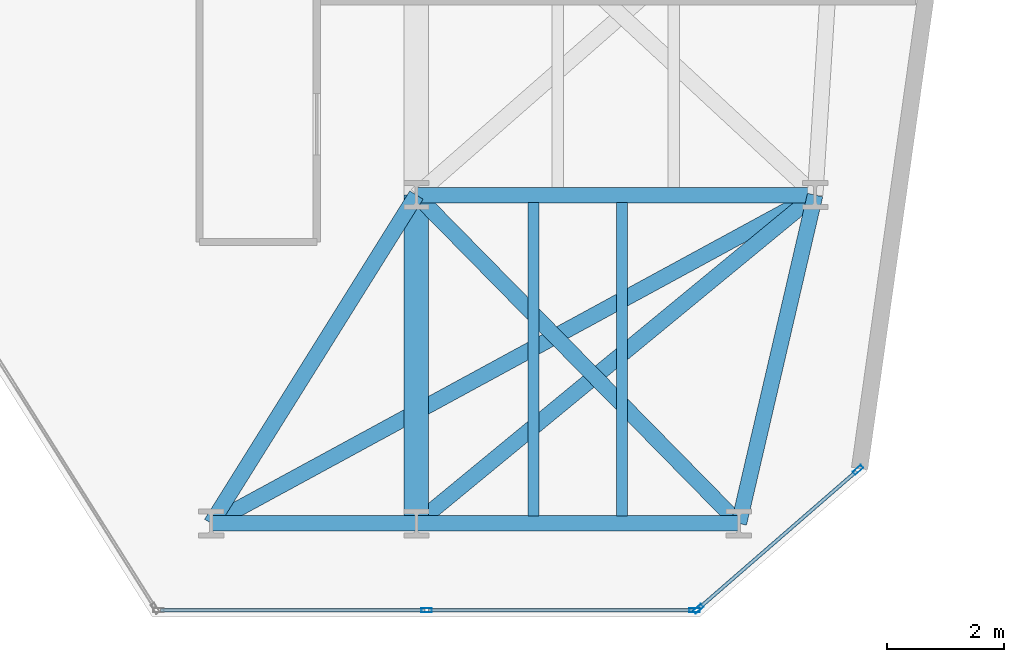
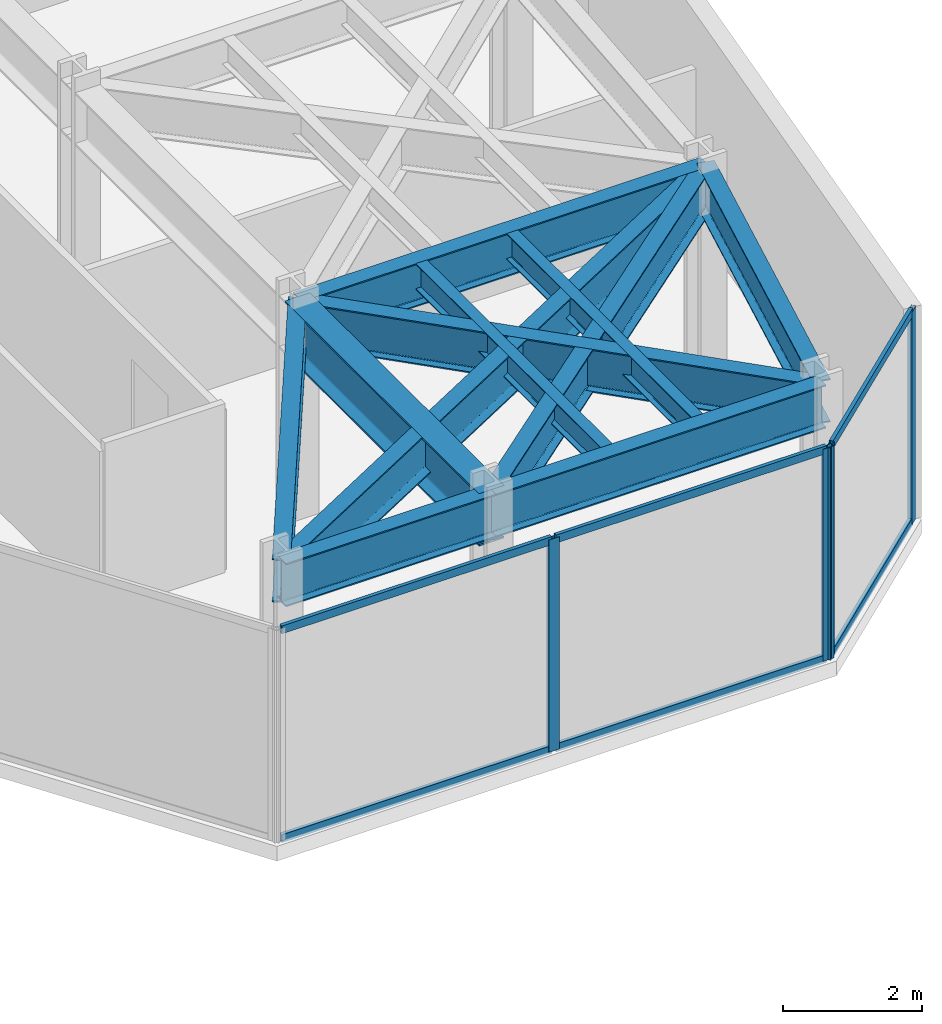
# One storey, part 13 of 24: 11 beams, 10 members, 2 elements without a shape of their own.
"""IFC4 building model written with IfcOpenShell, lengths in metres."""

import ifcopenshell
import ifcopenshell.guid

model = None  # the IFC model being written
_history = None  # IfcOwnerHistory: only IFC2X3 demands one
_inside = {}  # id of a spatial element -> (the spatial element, [elements in it])
_under = {}  # id of a project, library or spatial element -> (it, [spatial elements below it])
_declared = {}  # id of a project -> (the project, [libraries it declares])
_typed = {}  # id of a type object -> (the type object, [elements of that type])
_made_of = {}  # id of a material, layer set ... -> (it, [elements and type objects made of it])


def new_model(schema):
    """Start an empty IFC model of exactly this schema.

    Asked for "IFC4X3", IfcOpenShell would pick the latest addendum, in which some entities
    have other attributes; the version numbers below select the first issue.
    IFC2X3 requires an IfcOwnerHistory on every rooted entity: one is made here for all.
    """
    global model, _history
    if schema == "IFC4X3":
        model = ifcopenshell.file(schema_version=(4, 3, 0, 0))
    else:
        model = ifcopenshell.file(schema=schema)
    _inside.clear()
    _under.clear()
    _declared.clear()
    _typed.clear()
    _made_of.clear()
    _history = None
    if model.schema == "IFC2X3":
        org = make("IfcOrganization", Name="unknown")
        user = make(
            "IfcPersonAndOrganization",
            ThePerson=make("IfcPerson", FamilyName="unknown"),
            TheOrganization=org,
        )
        app = make(
            "IfcApplication",
            ApplicationDeveloper=org,
            Version="unknown",
            ApplicationFullName="unknown",
            ApplicationIdentifier="unknown",
        )
        _history = make(
            "IfcOwnerHistory",
            OwningUser=user,
            OwningApplication=app,
            ChangeAction="ADDED",
            CreationDate=0,
        )
    return model


def make(cls, **values):
    """One entity of the class cls with the attributes given. An attribute that is None is left unset."""
    return model.create_entity(
        cls, **{name: value for name, value in values.items() if value is not None}
    )


def rooted(cls, **values):
    """An entity with a GlobalId (a new one), such as an element, a storey or a relation."""
    return make(cls, GlobalId=ifcopenshell.guid.new(), OwnerHistory=_history, **values)


def si_unit(unit_type, name, prefix=None):
    """IfcSIUnit, for example si_unit("LENGTHUNIT", "METRE", prefix="MILLI")."""
    return make("IfcSIUnit", UnitType=unit_type, Prefix=prefix, Name=name)


def assignment(units):
    """IfcUnitAssignment: the units of a project."""
    return None if units is None else make("IfcUnitAssignment", Units=units)


def point(xyz):
    """IfcCartesianPoint."""
    return None if xyz is None else make("IfcCartesianPoint", Coordinates=xyz)


def direction(xyz):
    """IfcDirection."""
    return None if xyz is None else make("IfcDirection", DirectionRatios=xyz)


def frame(location, z_axis=None, x_axis=None):
    """IfcAxis2Placement3D, a coordinate frame: its origin and axes. An axis left out is left unset."""
    return make(
        "IfcAxis2Placement3D",
        Location=point(location),
        Axis=direction(z_axis),
        RefDirection=direction(x_axis),
    )


def frame_2d(location, x_axis=None):
    """IfcAxis2Placement2D, a coordinate frame in the plane: its origin and x axis."""
    return make(
        "IfcAxis2Placement2D", Location=point(location), RefDirection=direction(x_axis)
    )


def origin():
    """The frame at (0, 0, 0) with its axes left unset."""
    return frame((0.0, 0.0, 0.0))


def origin_2d():
    """The frame at (0, 0) in the plane with its x axis left unset."""
    return frame_2d((0.0, 0.0))


def place(relative_to, where):
    """IfcLocalPlacement: puts the frame where relative to a parent placement (None: the world)."""
    return make(
        "IfcLocalPlacement", PlacementRelTo=relative_to, RelativePlacement=where
    )


def context(
    kind, dimensions, precision=None, world=None, true_north=None, identifier=None
):
    """IfcGeometricRepresentationContext, for example the 3D "Model" context."""
    return make(
        "IfcGeometricRepresentationContext",
        ContextIdentifier=identifier,
        ContextType=kind,
        CoordinateSpaceDimension=dimensions,
        Precision=precision,
        WorldCoordinateSystem=world,
        TrueNorth=true_north,
    )


def subcontext(parent, identifier, kind, view, scale=None):
    """IfcGeometricRepresentationSubContext, for example "Body" below "Model"."""
    return make(
        "IfcGeometricRepresentationSubContext",
        ContextIdentifier=identifier,
        ContextType=kind,
        ParentContext=parent,
        TargetScale=scale,
        TargetView=view,
    )


def project(units=None, contexts=None):
    """IfcProject with its units and contexts."""
    return rooted(
        "IfcProject",
        Name="project",
        RepresentationContexts=contexts,
        UnitsInContext=assignment(units),
    )


def spatial(cls, under=None, at=None, **own):
    """A site, building, storey or space (cls), placed at a placement, below another one or the project."""
    s = rooted(cls, ObjectPlacement=at, **own)
    if under is not None:
        _under.setdefault(under.id(), (under, []))[1].append(s)
    return s


def profile(cls, at=None, kind="AREA", **sizes):
    """A parametric profile (cls). Its sizes go by their IFC names, for example OverallWidth=200.0."""
    return make(cls, ProfileType=kind, Position=at, **sizes)


def hollow_rectangle(**sizes):
    """IfcRectangleHollowProfileDef."""
    return profile("IfcRectangleHollowProfileDef", **sizes)


def i_section(**sizes):
    """IfcIShapeProfileDef."""
    return profile("IfcIShapeProfileDef", **sizes)


def extrude(swept, where, along, depth):
    """IfcExtrudedAreaSolid: the profile swept, set in the frame where, extruded along a direction by depth."""
    return make(
        "IfcExtrudedAreaSolid",
        SweptArea=swept,
        Position=where,
        ExtrudedDirection=direction(along),
        Depth=depth,
    )


def shape(context_of_items, identifier, shape_type, items):
    """IfcShapeRepresentation: the items that make up one representation, for example the "Body"."""
    return make(
        "IfcShapeRepresentation",
        ContextOfItems=context_of_items,
        RepresentationIdentifier=identifier,
        RepresentationType=shape_type,
        Items=items,
    )


def material(Name=None, Category=None):
    """IfcMaterial."""
    return make("IfcMaterial", Name=Name, Category=Category)


def layer(
    of_material, thickness, ventilated=None, Name=None, Category=None, Priority=None
):
    """IfcMaterialLayer: one layer of a wall or slab, of a material (None: an air gap)."""
    return make(
        "IfcMaterialLayer",
        Material=of_material,
        LayerThickness=thickness,
        IsVentilated=ventilated,
        Name=Name,
        Category=Category,
        Priority=Priority,
    )


def layer_set(layers, Name=None):
    """IfcMaterialLayerSet."""
    return make("IfcMaterialLayerSet", MaterialLayers=layers, LayerSetName=Name)


def material_profile(
    of_material, cross_section, Name=None, Category=None, Priority=None
):
    """IfcMaterialProfile: a cross section and its material."""
    return make(
        "IfcMaterialProfile",
        Name=Name,
        Material=of_material,
        Profile=cross_section,
        Priority=Priority,
        Category=Category,
    )


def profile_set(profiles, Name=None, composite=None):
    """IfcMaterialProfileSet."""
    return make(
        "IfcMaterialProfileSet",
        Name=Name,
        MaterialProfiles=profiles,
        CompositeProfile=composite,
    )


def made_of(thing, what):
    """Note that an element or type object is made of a material, layer set ...; save() writes the relation."""
    if what is not None:
        _made_of.setdefault(what.id(), (what, []))[1].append(thing)
    return thing


def type_object(cls, material=None, **own):
    """A type object (cls), such as IfcWallType, which elements share."""
    return made_of(rooted(cls, **own), material)


def element(
    cls,
    number,
    at=None,
    inside=None,
    cuts=None,
    type_object=None,
    material=None,
    context=None,
    identifier="Body",
    shape_type=None,
    held_by="IfcProductDefinitionShape",
    body=None,
    shapes=None,
    **own,
):
    """One element of the class cls, such as IfcWall. Its Tag is "e" and its number.

    at: its placement. inside: the storey or other place that contains it. cuts: it is an
    opening in that element (IfcRelVoidsElement). A single representation is given by context,
    identifier, shape_type and body (its items); several are given by shapes. held_by: the class
    of the entity that holds the representations. save() writes the other relations.
    """
    e = rooted(cls, Tag="e%d" % number, ObjectPlacement=at, **own)
    if body is not None:
        shapes = [shape(context, identifier, shape_type, body)]
    if shapes is not None:
        e.Representation = make(held_by, Representations=shapes)
    if inside is not None:
        _inside.setdefault(inside.id(), (inside, []))[1].append(e)
    if cuts is not None:
        rooted(
            "IfcRelVoidsElement", RelatingBuildingElement=cuts, RelatedOpeningElement=e
        )
    if type_object is not None:
        _typed.setdefault(type_object.id(), (type_object, []))[1].append(e)
    return made_of(e, material)


def aggregate(whole, parts):
    """IfcRelAggregates: a whole, such as a stair, and the parts it consists of."""
    return rooted("IfcRelAggregates", RelatingObject=whole, RelatedObjects=parts)


def save(model, path):
    """Write the relations noted so far, then the file.

    IfcRelAggregates (storeys below a building ...), IfcRelContainedInSpatialStructure (elements
    in a storey), IfcRelDefinesByType, IfcRelAssociatesMaterial and IfcRelDeclares: one each for
    every whole, place, type object, material and project.
    """
    for whole, parts in _under.values():
        aggregate(whole, parts)
    for where, things in _inside.values():
        rooted(
            "IfcRelContainedInSpatialStructure",
            RelatedElements=things,
            RelatingStructure=where,
        )
    for kind, things in _typed.values():
        rooted("IfcRelDefinesByType", RelatedObjects=things, RelatingType=kind)
    for what, things in _made_of.values():
        rooted("IfcRelAssociatesMaterial", RelatedObjects=things, RelatingMaterial=what)
    for by, libraries in _declared.values():
        rooted("IfcRelDeclares", RelatingContext=by, RelatedDefinitions=libraries)
    model.write(path)


model = new_model("IFC4")

# Units and contexts
model_context = context("Model", 3, precision=1e-05, world=origin(), true_north=direction((0.0, 1.0)))
body_context = subcontext(model_context, "Body", "Model", "MODEL_VIEW")
ifc_project = project(units=[si_unit("LENGTHUNIT", "METRE"), si_unit("AREAUNIT", "SQUARE_METRE"), si_unit("VOLUMEUNIT", "CUBIC_METRE"), si_unit("PLANEANGLEUNIT", "RADIAN"), si_unit("MASSUNIT", "GRAM", prefix="KILO")], contexts=[model_context])

# Site, building, storey
site_placement = place(None, origin())
site = spatial("IfcSite", under=ifc_project, at=site_placement, CompositionType="ELEMENT")
building_placement = place(site_placement, origin())
building = spatial("IfcBuilding", under=site, at=building_placement, Name="Kravanh Interchange Tower", CompositionType="ELEMENT")
storey_placement = place(building_placement, frame((0.0, 0.0, 69.5)))
storey = spatial("IfcBuildingStorey", under=building, at=storey_placement, Name="L16", CompositionType="ELEMENT", Elevation=69.5)

# Curtain wall, members
ifc_material_1 = material(Name="Anodised Bronze Aluminium", Category="aluminium")
ifc_layer = layer(ifc_material_1, 0.179931640625)
ifc_layer_set = layer_set([ifc_layer], Name="Unitised Curtain Wall System CW-Z1 Lower Office")
curtain_wall_type = type_object("IfcCurtainWallType", Name="Unitised Curtain Wall System CW-Z1 Lower Office", PredefinedType="NOTDEFINED", material=ifc_layer_set)
curtain_wall_1_placement = place(storey_placement, origin())
curtain_wall_1 = element("IfcCurtainWall", 1, at=curtain_wall_1_placement, inside=storey, type_object=curtain_wall_type, Name="L16 Unitised Curtain Wall CW-L16-02", PredefinedType="NOTDEFINED")
ifc_material_2 = material(Name="Anodised Bronze Aluminium", Category="aluminium")
ifc_material_profile_1 = material_profile(ifc_material_2, hollow_rectangle(XDim=0.070068359375, YDim=0.179931640625, WallThickness=0.00390625, at=origin_2d()), Name="ALU70X180X4")
ifc_profile_set_1 = profile_set([ifc_material_profile_1], Name="Anodised Bronze Aluminium")
member_type_1 = type_object("IfcMemberType", Name="Curtain Wall Mullion ALU70X180X4 Bronze", PredefinedType="MULLION", material=ifc_profile_set_1)
member_1_placement = place(storey_placement, frame((63.533203125, 3.513916015625, 0.0), z_axis=(0.0, 0.0, 1.0), x_axis=(0.656060422341, -0.754708368999, 0.0)))
member_1 = element("IfcMember", 2, at=member_1_placement, type_object=member_type_1, Name="CW-Z1 mullion 1", PredefinedType="MULLION", context=body_context, shape_type="SweptSolid", body=[
    extrude(hollow_rectangle(XDim=0.070068359375, YDim=0.179931640625, WallThickness=0.00390625, at=origin_2d()), origin(), (0.0, 0.0, 1.0), 3.739990234375),
])
member_2_placement = place(storey_placement, frame((60.805908203125, 1.14306640625, 0.0), z_axis=(0.0, 0.0, 1.0), x_axis=(0.656060422341, -0.754708368999, 0.0)))
member_2 = element("IfcMember", 3, at=member_2_placement, type_object=member_type_1, Name="CW-Z1 mullion 2", PredefinedType="MULLION", context=body_context, shape_type="SweptSolid", body=[
    extrude(hollow_rectangle(XDim=0.070068359375, YDim=0.179931640625, WallThickness=0.00390625, at=origin_2d()), origin(), (0.0, 0.0, 1.0), 3.739990234375),
])

curtain_wall_2_placement = place(storey_placement, origin())
curtain_wall_2 = element("IfcCurtainWall", 4, at=curtain_wall_2_placement, inside=storey, type_object=curtain_wall_type, Name="L16 Unitised Curtain Wall CW-L16-03", PredefinedType="NOTDEFINED")
member_3_placement = place(storey_placement, frame((60.744384765625, 1.1201171875, 0.0), z_axis=(0.0, 0.0, 1.0), x_axis=(0.0, -1.0, 0.0)))
member_3 = element("IfcMember", 5, at=member_3_placement, type_object=member_type_1, Name="CW-Z1 mullion 1", PredefinedType="MULLION", context=body_context, shape_type="SweptSolid", body=[
    extrude(hollow_rectangle(XDim=0.070068359375, YDim=0.179931640625, WallThickness=0.00390625, at=origin_2d()), origin(), (0.0, 0.0, 1.0), 3.739990234375),
])
member_4_placement = place(storey_placement, frame((56.1728515625, 1.1201171875, 0.0), z_axis=(0.0, 0.0, 1.0), x_axis=(0.0, -1.0, 0.0)))
member_4 = element("IfcMember", 6, at=member_4_placement, type_object=member_type_1, Name="CW-Z1 mullion 2", PredefinedType="MULLION", context=body_context, shape_type="SweptSolid", body=[
    extrude(hollow_rectangle(XDim=0.070068359375, YDim=0.179931640625, WallThickness=0.00390625, at=origin_2d()), origin(), (0.0, 0.0, 1.0), 3.739990234375),
])

# Member
ifc_material_3 = material(Name="Anodised Bronze Aluminium", Category="aluminium")
ifc_material_profile_2 = material_profile(ifc_material_3, hollow_rectangle(XDim=0.06005859375, YDim=0.139892578125, WallThickness=0.00390625, at=origin_2d()), Name="ALU60X140X4")
ifc_profile_set_2 = profile_set([ifc_material_profile_2], Name="Anodised Bronze Aluminium")
member_type_2 = type_object("IfcMemberType", Name="Curtain Wall Transom ALU60X140X4 Bronze", PredefinedType="USERDEFINED", material=ifc_profile_set_2)
member_5_placement = place(storey_placement, frame((63.5068359375, 3.490966796875, 0.030029296875), z_axis=(-0.754710815466, -0.656057608004, 0.0), x_axis=(0.656057608004, -0.754710815466, 0.0)))
member_5 = element("IfcMember", 7, at=member_5_placement, type_object=member_type_2, Name="CW-Z1 transom 1.1", ObjectType="TRANSOM", PredefinedType="USERDEFINED", context=body_context, shape_type="SweptSolid", body=[
    extrude(hollow_rectangle(XDim=0.06005859375, YDim=0.139892578125, WallThickness=0.00390625, at=origin_2d()), origin(), (0.0, 0.0, 1.0), 3.543701171875),
])

member_6_placement = place(storey_placement, frame((63.5068359375, 3.490966796875, 3.7099609375), z_axis=(-0.754710815466, -0.656057608004, 0.0), x_axis=(0.656057608004, -0.754710815466, 0.0)))
member_6 = element("IfcMember", 8, at=member_6_placement, type_object=member_type_2, Name="CW-Z1 transom 1.2", ObjectType="TRANSOM", PredefinedType="USERDEFINED", context=body_context, shape_type="SweptSolid", body=[
    extrude(hollow_rectangle(XDim=0.06005859375, YDim=0.139892578125, WallThickness=0.00390625, at=origin_2d()), origin(), (0.0, 0.0, 1.0), 3.543701171875),
])

aggregate(curtain_wall_1, [member_1, member_2, member_5, member_6])

member_7_placement = place(storey_placement, frame((60.70947265625, 1.1201171875, 0.030029296875), z_axis=(-1.0, 0.0, 0.0), x_axis=(0.0, -1.0, 0.0)))
member_7 = element("IfcMember", 9, at=member_7_placement, type_object=member_type_2, Name="CW-Z1 transom 1.1", ObjectType="TRANSOM", PredefinedType="USERDEFINED", context=body_context, shape_type="SweptSolid", body=[
    extrude(hollow_rectangle(XDim=0.06005859375, YDim=0.139892578125, WallThickness=0.00390625, at=origin_2d()), origin(), (0.0, 0.0, 1.0), 4.501708984375),
])

member_8_placement = place(storey_placement, frame((60.70947265625, 1.1201171875, 3.7099609375), z_axis=(-1.0, 0.0, 0.0), x_axis=(0.0, -1.0, 0.0)))
member_8 = element("IfcMember", 10, at=member_8_placement, type_object=member_type_2, Name="CW-Z1 transom 1.2", ObjectType="TRANSOM", PredefinedType="USERDEFINED", context=body_context, shape_type="SweptSolid", body=[
    extrude(hollow_rectangle(XDim=0.06005859375, YDim=0.139892578125, WallThickness=0.00390625, at=origin_2d()), origin(), (0.0, 0.0, 1.0), 4.501708984375),
])

member_9_placement = place(storey_placement, frame((56.1376953125, 1.1201171875, 0.030029296875), z_axis=(-1.0, 0.0, 0.0), x_axis=(0.0, -1.0, 0.0)))
member_9 = element("IfcMember", 11, at=member_9_placement, type_object=member_type_2, Name="CW-Z1 transom 2.1", ObjectType="TRANSOM", PredefinedType="USERDEFINED", context=body_context, shape_type="SweptSolid", body=[
    extrude(hollow_rectangle(XDim=0.06005859375, YDim=0.139892578125, WallThickness=0.00390625, at=origin_2d()), origin(), (0.0, 0.0, 1.0), 4.50146484375),
])

member_10_placement = place(storey_placement, frame((56.1376953125, 1.1201171875, 3.7099609375), z_axis=(-1.0, 0.0, 0.0), x_axis=(0.0, -1.0, 0.0)))
member_10 = element("IfcMember", 12, at=member_10_placement, type_object=member_type_2, Name="CW-Z1 transom 2.2", ObjectType="TRANSOM", PredefinedType="USERDEFINED", context=body_context, shape_type="SweptSolid", body=[
    extrude(hollow_rectangle(XDim=0.06005859375, YDim=0.139892578125, WallThickness=0.00390625, at=origin_2d()), origin(), (0.0, 0.0, 1.0), 4.50146484375),
])

aggregate(curtain_wall_2, [member_3, member_4, member_7, member_8, member_9, member_10])

# Beams
ifc_material_4 = material(Name="Structural Steel S355", Category="steel")
ifc_material_profile_3 = material_profile(ifc_material_4, i_section(OverallWidth=0.41796875, OverallDepth=0.927001953125, WebThickness=0.019287109375, FlangeThickness=0.031982421875, FilletRadius=0.028076171875, at=origin_2d()), Name="W36X231")
ifc_profile_set_3 = profile_set([ifc_material_profile_3], Name="Structural Steel S355")
beam_type_1 = type_object("IfcBeamType", Name="Floor Beam W36X231 Structural Steel S355", PredefinedType="BEAM", material=ifc_profile_set_3)
beam_1_placement = place(storey_placement, frame((56.0, 2.60009765625, 3.276611328125), z_axis=(0.0, 1.0, 0.0), x_axis=(-1.0, 0.0, 0.0)))
element("IfcBeam", 13, at=beam_1_placement, inside=storey, type_object=beam_type_1, Name="L16 Primary Floor Girder 129", PredefinedType="BEAM", context=body_context, shape_type="SweptSolid", body=[
    extrude(i_section(OverallWidth=0.41796875, OverallDepth=0.927001953125, WebThickness=0.019287109375, FlangeThickness=0.031982421875, FilletRadius=0.028076171875, at=origin_2d()), origin(), (0.0, 0.0, 1.0), 5.599853515625),
])
ifc_material_5 = material(Name="Structural Steel S355", Category="steel")
ifc_material_profile_4 = material_profile(ifc_material_5, i_section(OverallWidth=0.18994140625, OverallDepth=0.45703125, WebThickness=0.009033203125, FlangeThickness=0.014404296875, FilletRadius=0.01806640625, at=origin_2d()), Name="W18X50")
ifc_profile_set_4 = profile_set([ifc_material_profile_4], Name="Structural Steel S355")
beam_type_2 = type_object("IfcBeamType", Name="Floor Joist W18X50 Structural Steel S355", PredefinedType="JOIST", material=ifc_profile_set_4)
for number, where, z_axis, x_axis, name in (
    (14, (57.993896484375, 2.728515625, 3.511474609375), (0.0, 1.0, 0.0), (-1.0, 0.0, 0.0), "L16 Secondary Floor Joist 5"),
    (15, (59.506103515625, 2.728515625, 3.511474609375), (0.0, 1.0, 0.0), (-1.0, 0.0, 0.0), "L16 Secondary Floor Joist 6"),
):
    element("IfcBeam", number, at=place(storey_placement, frame(where, z_axis=z_axis, x_axis=x_axis)), inside=storey, type_object=beam_type_2, Name=name, PredefinedType="JOIST", context=body_context, shape_type="SweptSolid", body=[
        extrude(i_section(OverallWidth=0.18994140625, OverallDepth=0.45703125, WebThickness=0.009033203125, FlangeThickness=0.014404296875, FilletRadius=0.01806640625, at=origin_2d()), origin(), (0.0, 0.0, 1.0), 5.343017578125),
    ])
ifc_material_6 = material(Name="Structural Steel S355", Category="steel")
ifc_material_profile_5 = material_profile(ifc_material_6, i_section(OverallWidth=0.26708984375, OverallDepth=0.761962890625, WebThickness=0.014404296875, FlangeThickness=0.021484375, FilletRadius=0.02490234375, at=origin_2d()), Name="W30X116")
ifc_profile_set_5 = profile_set([ifc_material_profile_5], Name="Structural Steel S355")
beam_type_3 = type_object("IfcBeamType", Name="Floor Spandrel W30X116 Structural Steel S355", PredefinedType="SPANDREL", material=ifc_profile_set_5)
beam_2_placement = place(storey_placement, frame((52.5, 2.60009765625, 3.35888671875), z_axis=(1.0, 0.0, 0.0), x_axis=(0.0, 1.0, 0.0)))
element("IfcBeam", 16, at=beam_2_placement, inside=storey, type_object=beam_type_3, Name="L16 Perimeter Spandrel 125", PredefinedType="SPANDREL", context=body_context, shape_type="SweptSolid", body=[
    extrude(i_section(OverallWidth=0.26708984375, OverallDepth=0.761962890625, WebThickness=0.014404296875, FlangeThickness=0.021484375, FilletRadius=0.02490234375, at=origin_2d()), origin(), (0.0, 0.0, 1.0), 3.5),
])
beam_3_placement = place(storey_placement, frame((52.5, 2.60009765625, 3.35888671875), z_axis=(0.530008909536, 0.847992072965, 0.0), x_axis=(-0.847992072965, 0.530008909536, 0.0)))
element("IfcBeam", 17, at=beam_3_placement, inside=storey, type_object=beam_type_3, Name="L16 Perimeter Spandrel 126", PredefinedType="SPANDREL", context=body_context, shape_type="SweptSolid", body=[
    extrude(i_section(OverallWidth=0.26708984375, OverallDepth=0.761962890625, WebThickness=0.014404296875, FlangeThickness=0.021484375, FilletRadius=0.02490234375, at=origin_2d()), origin(), (0.0, 0.0, 1.0), 6.603759765625),
])
beam_4_placement = place(storey_placement, frame((52.5, 2.60009765625, 3.35888671875), z_axis=(0.878552895081, 0.47764506754, 0.0), x_axis=(-0.47764506754, 0.878552895081, 0.0)))
element("IfcBeam", 18, at=beam_4_placement, inside=storey, type_object=beam_type_3, Name="L16 Perimeter Spandrel 127", PredefinedType="SPANDREL", context=body_context, shape_type="SweptSolid", body=[
    extrude(i_section(OverallWidth=0.26708984375, OverallDepth=0.761962890625, WebThickness=0.014404296875, FlangeThickness=0.021484375, FilletRadius=0.02490234375, at=origin_2d()), origin(), (0.0, 0.0, 1.0), 11.723876953125),
])
beam_5_placement = place(storey_placement, frame((56.0, 2.60009765625, 3.35888671875), z_axis=(1.0, 0.0, 0.0), x_axis=(0.0, 1.0, 0.0)))
element("IfcBeam", 19, at=beam_5_placement, inside=storey, type_object=beam_type_3, Name="L16 Perimeter Spandrel 128", PredefinedType="SPANDREL", context=body_context, shape_type="SweptSolid", body=[
    extrude(i_section(OverallWidth=0.26708984375, OverallDepth=0.761962890625, WebThickness=0.014404296875, FlangeThickness=0.021484375, FilletRadius=0.02490234375, at=origin_2d()), origin(), (0.0, 0.0, 1.0), 5.5),
])
beam_6_placement = place(storey_placement, frame((56.0, 2.60009765625, 3.35888671875), z_axis=(0.771940635711, 0.635694623965, 0.0), x_axis=(-0.635694623965, 0.771940635711, 0.0)))
element("IfcBeam", 20, at=beam_6_placement, inside=storey, type_object=beam_type_3, Name="L16 Perimeter Spandrel 130", PredefinedType="SPANDREL", context=body_context, shape_type="SweptSolid", body=[
    extrude(i_section(OverallWidth=0.26708984375, OverallDepth=0.761962890625, WebThickness=0.014404296875, FlangeThickness=0.021484375, FilletRadius=0.02490234375, at=origin_2d()), origin(), (0.0, 0.0, 1.0), 8.80908203125),
])
beam_7_placement = place(storey_placement, frame((61.5, 2.60009765625, 3.35888671875), z_axis=(0.226143379252, 0.974094026273, 0.0), x_axis=(-0.974094026273, 0.226143379252, 0.0)))
element("IfcBeam", 21, at=beam_7_placement, inside=storey, type_object=beam_type_3, Name="L16 Perimeter Spandrel 131", PredefinedType="SPANDREL", context=body_context, shape_type="SweptSolid", body=[
    extrude(i_section(OverallWidth=0.26708984375, OverallDepth=0.761962890625, WebThickness=0.014404296875, FlangeThickness=0.021484375, FilletRadius=0.02490234375, at=origin_2d()), origin(), (0.0, 0.0, 1.0), 5.748779296875),
])
beam_8_placement = place(storey_placement, frame((61.5, 2.60009765625, 3.35888671875), z_axis=(-0.700717344595, 0.71343899738, 0.0), x_axis=(-0.71343899738, -0.700717344595, 0.0)))
element("IfcBeam", 22, at=beam_8_placement, inside=storey, type_object=beam_type_3, Name="L16 Perimeter Spandrel 132", PredefinedType="SPANDREL", context=body_context, shape_type="SweptSolid", body=[
    extrude(i_section(OverallWidth=0.26708984375, OverallDepth=0.761962890625, WebThickness=0.014404296875, FlangeThickness=0.021484375, FilletRadius=0.02490234375, at=origin_2d()), origin(), (0.0, 0.0, 1.0), 7.84912109375),
])
beam_9_placement = place(storey_placement, frame((56.0, 8.199951171875, 3.35888671875), z_axis=(1.0, 0.0, 0.0), x_axis=(0.0, 1.0, 0.0)))
element("IfcBeam", 23, at=beam_9_placement, inside=storey, type_object=beam_type_3, Name="L16 Perimeter Spandrel 142", PredefinedType="SPANDREL", context=body_context, shape_type="SweptSolid", body=[
    extrude(i_section(OverallWidth=0.26708984375, OverallDepth=0.761962890625, WebThickness=0.014404296875, FlangeThickness=0.021484375, FilletRadius=0.02490234375, at=origin_2d()), origin(), (0.0, 0.0, 1.0), 6.800048828125),
])

save(model, "model.ifc")
